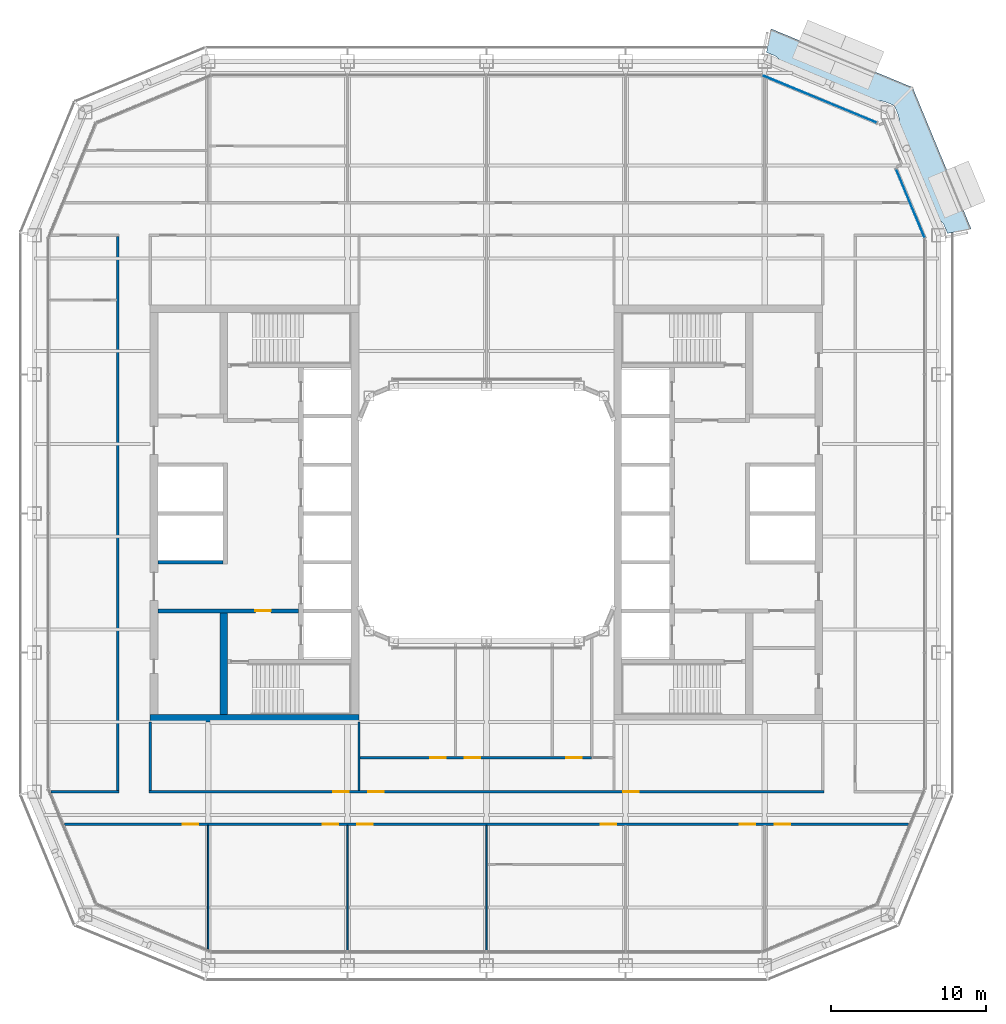
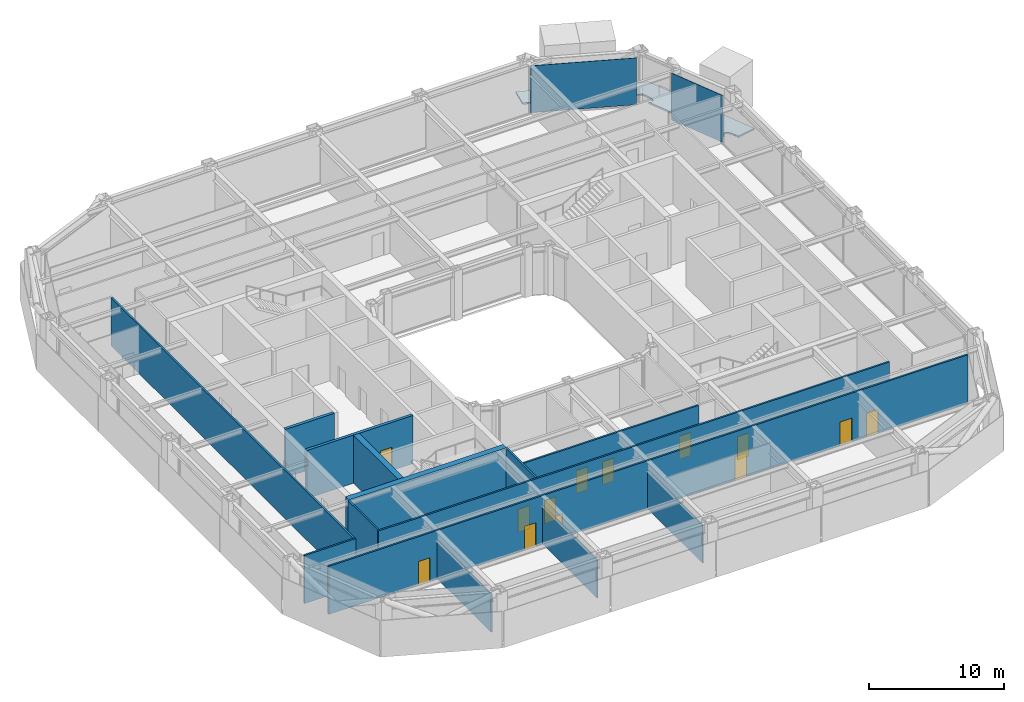
# One storey, part 11 of 23: 14 walls, 13 doors, 2 plates, 1 slab, 13 openings, 2 elements without a shape of their own.
"""IFC4 building model written with IfcOpenShell, lengths in metres."""

from ifc_helpers import new_model, si_unit, direction, frame, frame_2d, origin, origin_2d, place, context, subcontext, project, spatial, polyline, rectangle, outline, extrude, material, layer, layer_set, type_object, element, fill, aggregate, save


model = new_model("IFC4")

# Units and contexts
model_context = context("Model", 3, precision=1e-05, world=origin(), true_north=direction((0.0, 1.0)))
body_context = subcontext(model_context, "Body", "Model", "MODEL_VIEW")
ifc_project = project(units=[si_unit("LENGTHUNIT", "METRE"), si_unit("AREAUNIT", "SQUARE_METRE"), si_unit("VOLUMEUNIT", "CUBIC_METRE"), si_unit("PLANEANGLEUNIT", "RADIAN"), si_unit("MASSUNIT", "GRAM", prefix="KILO")], contexts=[model_context])

# Site, building, storey
site_placement = place(None, origin())
site = spatial("IfcSite", under=ifc_project, at=site_placement, CompositionType="ELEMENT")
building_placement = place(site_placement, origin())
building = spatial("IfcBuilding", under=site, at=building_placement, Name="Siwar Civic Tower", CompositionType="ELEMENT")
storey_placement = place(building_placement, frame((0.0, 0.0, 167.699951171875)))
storey = spatial("IfcBuildingStorey", under=building, at=storey_placement, Name="L36", CompositionType="ELEMENT", Elevation=167.699951171875)

# Slab
ifc_material_1 = material(Name="Concrete C40/50", Category="concrete")
ifc_layer_1 = layer(ifc_material_1, 0.14990234375)
ifc_layer_set_1 = layer_set([ifc_layer_1], Name="Concrete C40/50")
slab_type = type_object("IfcSlabType", Name="ENV-BALCONY DECK 150", PredefinedType="FLOOR", material=ifc_layer_set_1)
slab_placement = place(storey_placement, frame((0.0, 0.0, -0.1494140625)))
element("IfcSlab", 1, at=slab_placement, inside=storey, type_object=slab_type, Name="Tree balcony deck NE", PredefinedType="FLOOR", context=body_context, shape_type="SweptSolid", body=[
    extrude(outline(polyline([(26.43310546875, 26.263427734375), (26.435546875, 26.258056640625), (26.435546875, 26.258056640625), (26.44580078125, 26.2333984375), (26.479736328125, 26.151611328125), (26.575439453125, 25.921875), (26.585693359375, 25.897216796875), (26.589111328125, 25.88916015625), (26.58984375, 25.88720703125), (26.617431640625, 25.81494140625), (26.619140625, 25.81005859375), (26.639404296875, 25.74462890625), (26.640625, 25.740234375), (26.65673828125, 25.673583984375), (26.65771484375, 25.669189453125), (26.669921875, 25.601806640625), (26.67041015625, 25.59765625), (26.6787109375, 25.529541015625), (26.67919921875, 25.523681640625), (26.67919921875, 25.517578125), (26.6748046875, 25.406005859375), (26.674072265625, 25.397216796875), (26.672119140625, 25.388671875), (26.66015625, 25.345703125), (26.65869140625, 25.34130859375), (26.64404296875, 25.299072265625), (26.640869140625, 25.29150390625), (26.63720703125, 25.284423828125), (26.61669921875, 25.251220703125), (26.614501953125, 25.247802734375), (26.59228515625, 25.216064453125), (26.58740234375, 25.209716796875), (26.581787109375, 25.203857421875), (26.575439453125, 25.19873046875), (26.56884765625, 25.1943359375), (26.561767578125, 25.190673828125), (26.531494140625, 25.177001953125), (26.52734375, 25.17529296875), (26.496337890625, 25.16357421875), (26.488525390625, 25.1611328125), (26.480712890625, 25.159423828125), (26.47265625, 25.15869140625), (26.464599609375, 25.15869140625), (26.456787109375, 25.15966796875), (26.418701171875, 25.166259765625), (26.41455078125, 25.167236328125), (26.376708984375, 25.176025390625), (26.368896484375, 25.17822265625), (26.361328125, 25.181396484375), (26.321044921875, 25.20068359375), (26.31689453125, 25.202880859375), (26.27783203125, 25.224609375), (26.2705078125, 25.2294921875), (26.263671875, 25.23486328125), (26.246826171875, 25.25048828125), (28.949951171875, 18.724609375), (28.951904296875, 18.77490234375), (28.95263671875, 18.783447265625), (28.95458984375, 18.7919921875), (28.966552734375, 18.835205078125), (28.968017578125, 18.839599609375), (28.982666015625, 18.8818359375), (28.98583984375, 18.889404296875), (28.98974609375, 18.896484375), (29.010009765625, 18.9296875), (29.013916015625, 18.935302734375), (29.018310546875, 18.940673828125), (29.023193359375, 18.945556640625), (29.048583984375, 18.968994140625), (29.052001953125, 18.971923828125), (29.078857421875, 18.99365234375), (29.084716796875, 18.998046875), (29.0908203125, 19.001708984375), (29.097412109375, 19.0048828125), (29.104248046875, 19.00732421875), (29.111083984375, 19.009033203125), (29.118408203125, 19.01025390625), (29.15283203125, 19.013671875), (29.1572265625, 19.01416015625), (29.19189453125, 19.015625), (29.19873046875, 19.015625), (29.20556640625, 19.01513671875), (29.21240234375, 19.013671875), (29.25, 19.0048828125), (29.2578125, 19.002685546875), (29.265380859375, 18.99951171875), (29.305908203125, 18.980224609375), (29.309814453125, 18.97802734375), (29.348876953125, 18.956298828125), (29.356201171875, 18.951416015625), (29.363037109375, 18.946044921875), (29.4453125, 18.870361328125), (29.44970703125, 18.865966796875), (29.453369140625, 18.861572265625), (29.495849609375, 18.8076171875), (29.498291015625, 18.80419921875), (29.53759765625, 18.748046875), (29.5400390625, 18.744384765625), (29.575927734375, 18.68603515625), (29.578369140625, 18.681884765625), (29.610595703125, 18.62158203125), (29.61279296875, 18.616943359375), (29.64453125, 18.54638671875), (29.645263671875, 18.54443359375), (29.665771484375, 18.4951171875), (29.6845703125, 18.449951171875), (29.699951171875, 18.449951171875), (29.699951171875, 18.412841796875), (29.740966796875, 18.314697265625), (29.775146484375, 18.232666015625), (29.788818359375, 18.19970703125), (29.798828125, 18.175048828125), (29.798828125, 18.175048828125), (29.8017578125, 18.16748046875), (29.807373046875, 18.148193359375), (29.80908203125, 18.140625), (29.81005859375, 18.1328125), (29.8115234375, 18.1123046875), (29.8115234375, 18.11181640625), (31.35009765625, 18.417724609375), (27.562255859375, 27.562255859375), (18.417724609375, 31.35009765625), (18.111083984375, 29.80810546875), (18.114013671875, 29.808349609375), (18.13037109375, 29.80859375), (18.136962890625, 29.808349609375), (18.1435546875, 29.8076171875), (18.150146484375, 29.80615234375), (18.1650390625, 29.80224609375), (18.175048828125, 29.798828125), (18.19970703125, 29.788818359375), (18.279052734375, 29.755615234375), (18.314697265625, 29.740966796875), (18.412841796875, 29.699951171875), (18.449951171875, 29.699951171875), (18.449951171875, 29.6845703125), (18.4951171875, 29.665771484375), (18.54443359375, 29.645263671875), (18.54638671875, 29.64453125), (18.616943359375, 29.61279296875), (18.62158203125, 29.610595703125), (18.681884765625, 29.578369140625), (18.68603515625, 29.575927734375), (18.744384765625, 29.5400390625), (18.748046875, 29.53759765625), (18.80419921875, 29.498291015625), (18.8076171875, 29.495849609375), (18.861572265625, 29.453369140625), (18.865966796875, 29.44970703125), (18.870361328125, 29.4453125), (18.946044921875, 29.363037109375), (18.951416015625, 29.356201171875), (18.956298828125, 29.348876953125), (18.97802734375, 29.309814453125), (18.980224609375, 29.305908203125), (18.99951171875, 29.265380859375), (19.002685546875, 29.2578125), (19.0048828125, 29.25), (19.013671875, 29.21240234375), (19.01513671875, 29.20556640625), (19.015625, 29.19873046875), (19.015625, 29.19189453125), (19.01416015625, 29.1572265625), (19.013671875, 29.15283203125), (19.01025390625, 29.118408203125), (19.009033203125, 29.111083984375), (19.00732421875, 29.104248046875), (19.0048828125, 29.097412109375), (19.001708984375, 29.0908203125), (18.998046875, 29.084716796875), (18.99365234375, 29.078857421875), (18.971923828125, 29.052001953125), (18.968994140625, 29.048583984375), (18.945556640625, 29.023193359375), (18.940673828125, 29.018310546875), (18.935302734375, 29.013916015625), (18.9296875, 29.010009765625), (18.896484375, 28.98974609375), (18.889404296875, 28.98583984375), (18.8818359375, 28.982666015625), (18.839599609375, 28.968017578125), (18.835205078125, 28.966552734375), (18.7919921875, 28.95458984375), (18.783447265625, 28.95263671875), (18.77490234375, 28.951904296875), (18.724609375, 28.949951171875), (25.25048828125, 26.246826171875), (25.23486328125, 26.263671875), (25.2294921875, 26.2705078125), (25.224609375, 26.27783203125), (25.202880859375, 26.31689453125), (25.20068359375, 26.321044921875), (25.181396484375, 26.361328125), (25.17822265625, 26.368896484375), (25.176025390625, 26.376708984375), (25.167236328125, 26.41455078125), (25.166259765625, 26.418701171875), (25.15966796875, 26.456787109375), (25.15869140625, 26.464599609375), (25.15869140625, 26.47265625), (25.159423828125, 26.480712890625), (25.1611328125, 26.488525390625), (25.16357421875, 26.496337890625), (25.17529296875, 26.52734375), (25.177001953125, 26.531494140625), (25.190673828125, 26.561767578125), (25.1943359375, 26.56884765625), (25.19873046875, 26.575439453125), (25.203857421875, 26.581787109375), (25.209716796875, 26.58740234375), (25.216064453125, 26.59228515625), (25.247802734375, 26.614501953125), (25.251220703125, 26.61669921875), (25.284423828125, 26.63720703125), (25.29150390625, 26.640869140625), (25.299072265625, 26.64404296875), (25.34130859375, 26.65869140625), (25.345703125, 26.66015625), (25.388671875, 26.672119140625), (25.397216796875, 26.674072265625), (25.406005859375, 26.6748046875), (25.517578125, 26.67919921875), (25.523681640625, 26.67919921875), (25.529541015625, 26.6787109375), (25.59765625, 26.67041015625), (25.601806640625, 26.669921875), (25.669189453125, 26.65771484375), (25.673583984375, 26.65673828125), (25.740234375, 26.640625), (25.74462890625, 26.639404296875), (25.81005859375, 26.619140625), (25.81494140625, 26.617431640625), (25.88720703125, 26.58984375), (25.88916015625, 26.589111328125), (25.897216796875, 26.585693359375), (25.921875, 26.575439453125), (26.151611328125, 26.479736328125), (26.2333984375, 26.44580078125), (26.258056640625, 26.435546875), (26.267578125, 26.4306640625), (26.28076171875, 26.4228515625), (26.286376953125, 26.419189453125), (26.291748046875, 26.4150390625), (26.296630859375, 26.410400390625), (26.3017578125, 26.405029296875), (26.405029296875, 26.405029296875), (26.405029296875, 26.311279296875), (26.414306640625, 26.29833984375), (26.41748046875, 26.293701171875), (26.420166015625, 26.28857421875), (26.43310546875, 26.263427734375)])), origin(), (0.0, 0.0, 1.0), 0.1494140625),
])

# Curtain wall, plate
ifc_material_2 = material(Name="Aluminium clad insulated panel", Category="aluminium")
ifc_layer_2 = layer(ifc_material_2, 0.199951171875)
ifc_layer_set_2 = layer_set([ifc_layer_2], Name="Aluminium clad insulated panel")
curtain_wall_type = type_object("IfcCurtainWallType", Name="ENV-CW-BX", PredefinedType="NOTDEFINED", material=ifc_layer_set_2)
curtain_wall_1_placement = place(storey_placement, origin())
curtain_wall_1 = element("IfcCurtainWall", 2, at=curtain_wall_1_placement, inside=storey, type_object=curtain_wall_type, Name="Curtain wall B NE1", PredefinedType="NOTDEFINED")
ifc_material_3 = material(Name="Aluminium clad insulated panel", Category="aluminium")
ifc_layer_3 = layer(ifc_material_3, 0.033935546875)
ifc_layer_set_3 = layer_set([ifc_layer_3], Name="Aluminium clad insulated panel")
plate_type = type_object("IfcPlateType", Name="ENV-PANEL-BX", PredefinedType="CURTAIN_PANEL", material=ifc_layer_set_3)
plate_1_placement = place(storey_placement, frame((27.422607421875, 20.06005859375, 0.10986328125), z_axis=(0.0, 0.0, 1.0), x_axis=(-0.382683432365, 0.923879532511, 0.0)))
plate_1 = element("IfcPlate", 3, at=plate_1_placement, type_object=plate_type, Name="Curtain panel B NE1 1", PredefinedType="CURTAIN_PANEL", context=body_context, shape_type="SweptSolid", body=[
    extrude(rectangle(XDim=4.7822265625, YDim=0.033935546875, at=origin_2d()), origin(), (0.0, 0.0, 1.0), 4.239990234375),
])
aggregate(curtain_wall_1, [plate_1])

curtain_wall_2_placement = place(storey_placement, origin())
curtain_wall_2 = element("IfcCurtainWall", 4, at=curtain_wall_2_placement, inside=storey, type_object=curtain_wall_type, Name="Curtain wall B NE2", PredefinedType="NOTDEFINED")
plate_2_placement = place(storey_placement, frame((21.5810546875, 26.79248046875, 0.10986328125), z_axis=(0.0, 0.0, 1.0), x_axis=(-0.923879532511, 0.382683432365, 0.0)))
plate_2 = element("IfcPlate", 5, at=plate_2_placement, type_object=plate_type, Name="Curtain panel B NE2 1", PredefinedType="CURTAIN_PANEL", context=body_context, shape_type="SweptSolid", body=[
    extrude(rectangle(XDim=7.912353515625, YDim=0.033935546875, at=origin_2d()), origin(), (0.0, 0.0, 1.0), 4.239990234375),
])
aggregate(curtain_wall_2, [plate_2])

# Wall, opening, door
ifc_material_4 = material(Name="Concrete C60/75", Category="concrete")
ifc_layer_4 = layer(ifc_material_4, 0.25)
ifc_layer_set_4 = layer_set([ifc_layer_4], Name="Concrete C60/75")
wall_type_1 = type_object("IfcWallType", Name="CORE-WALL-RC250", PredefinedType="SHEAR", material=ifc_layer_set_4)
wall_1_placement = place(storey_placement, frame((-12.14990234375, -6.300048828125, 0.0), z_axis=(0.0, 0.0, 1.0), x_axis=(-1.0, 0.0, 0.0)))
wall_1 = element("IfcWall", 6, at=wall_1_placement, inside=storey, type_object=wall_type_1, Name="Core wall W", PredefinedType="SHEAR", context=body_context, shape_type="SweptSolid", body=[
    extrude(rectangle(XDim=9.10009765625, YDim=0.25, at=frame_2d((4.550048828125, 0.0))), origin(), (0.0, 0.0, 1.0), 4.35009765625),
])
opening_1_placement = place(wall_1_placement, frame((1.800048828125, 0.0, 0.0)))
opening_1 = element("IfcOpeningElement", 7, at=opening_1_placement, cuts=wall_1, Name="Opening L36-CW02", PredefinedType="OPENING", context=body_context, shape_type="SweptSolid", body=[
    extrude(rectangle(XDim=1.0, YDim=2.10009765625, at=frame_2d((0.5, 1.050048828125))), frame((0.0, 0.135009765625, 0.0), z_axis=(0.0, -1.0, 0.0), x_axis=(1.0, 0.0, 0.0)), (0.0, 0.0, 1.0), 0.27001953125),
])
ifc_material_5 = material(Name="Steel door leaf", Category="steel")
door_type_1 = type_object("IfcDoorType", Name="CORE-DOOR-FD30S", OperationType="SINGLE_SWING_LEFT", PredefinedType="DOOR", material=ifc_material_5)
door_1_placement = place(opening_1_placement, origin())
door_1 = element("IfcDoor", 8, at=door_1_placement, inside=storey, type_object=door_type_1, Name="Service lobby door L36-CW02", OperationType="SINGLE_SWING_RIGHT", OverallHeight=2.10009765625, OverallWidth=1.0, PredefinedType="DOOR", context=body_context, shape_type="SweptSolid", body=[
    extrude(rectangle(XDim=1.0, YDim=2.10009765625, at=frame_2d((0.5, 1.050048828125))), frame((0.0, 0.02490234375, 0.0), z_axis=(0.0, -1.0, 0.0), x_axis=(1.0, 0.0, 0.0)), (0.0, 0.0, 1.0), 0.050048828125),
])
fill(opening_1, door_1)

# Walls
wall_2_placement = place(storey_placement, frame((-17.050048828125, -3.14990234375, 0.0), z_axis=(0.0, 0.0, 1.0), x_axis=(-1.0, 0.0, 0.0)))
element("IfcWall", 9, at=wall_2_placement, inside=storey, type_object=wall_type_1, Name="Core wall W", PredefinedType="SHEAR", context=body_context, shape_type="SweptSolid", body=[
    extrude(rectangle(XDim=4.199951171875, YDim=0.25, at=frame_2d((2.10009765625, 0.0))), origin(), (0.0, 0.0, 1.0), 4.35009765625),
])
ifc_material_6 = material(Name="Concrete C60/75", Category="concrete")
ifc_layer_5 = layer(ifc_material_6, 0.5)
ifc_layer_set_5 = layer_set([ifc_layer_5], Name="Concrete C60/75")
wall_type_2 = type_object("IfcWallType", Name="CORE-WALL-RC500", PredefinedType="SHEAR", material=ifc_layer_set_5)
wall_3_placement = place(storey_placement, frame((-17.0, -13.0, 0.0), z_axis=(0.0, 0.0, 1.0), x_axis=(0.0, 1.0, 0.0)))
element("IfcWall", 10, at=wall_3_placement, inside=storey, type_object=wall_type_2, Name="Core wall W", PredefinedType="SHEAR", context=body_context, shape_type="SweptSolid", body=[
    extrude(rectangle(XDim=6.574951171875, YDim=0.5, at=frame_2d((3.28759765625, 0.0))), origin(), (0.0, 0.0, 1.0), 4.35009765625),
])
wall_4_placement = place(storey_placement, frame((-8.25, -13.25, 0.0), z_axis=(0.0, 0.0, 1.0), x_axis=(-1.0, 0.0, 0.0)))
element("IfcWall", 11, at=wall_4_placement, inside=storey, type_object=wall_type_2, Name="Core wall W", PredefinedType="SHEAR", context=body_context, shape_type="SweptSolid", body=[
    extrude(rectangle(XDim=13.5, YDim=0.5, at=frame_2d((6.75, 0.0))), origin(), (0.0, 0.0, 1.0), 4.35009765625),
])

# Wall, openings, doors
ifc_material_7 = material(Name="Gypsum board on steel studs", Category="steel")
ifc_layer_6 = layer(ifc_material_7, 0.14990234375)
ifc_layer_set_6 = layer_set([ifc_layer_6], Name="Gypsum board on steel studs")
wall_type_3 = type_object("IfcWallType", Name="CORRIDOR PARTITION 150 EI 30", PredefinedType="PARTITIONING", material=ifc_layer_set_6)
wall_5_placement = place(storey_placement, frame((-27.30810546875, -20.10009765625, 0.0), z_axis=(0.0, 0.0, 1.0), x_axis=(1.0, 0.0, 0.0)))
wall_5 = element("IfcWall", 12, at=wall_5_placement, inside=storey, type_object=wall_type_3, Name="L36/wall/P02", PredefinedType="PARTITIONING", context=body_context, shape_type="SweptSolid", body=[
    extrude(rectangle(XDim=54.6162109375, YDim=0.14990234375, at=frame_2d((27.30810546875, 0.0))), origin(), (0.0, 0.0, 1.0), 4.35009765625),
])
opening_2_placement = place(wall_5_placement, frame((16.7080078125, 0.0, 0.0)))
opening_2 = element("IfcOpeningElement", 13, at=opening_2_placement, cuts=wall_5, Name="Opening D1", PredefinedType="OPENING", context=body_context, shape_type="SweptSolid", body=[
    extrude(rectangle(XDim=1.0, YDim=2.10009765625, at=frame_2d((0.5, 1.050048828125))), frame((0.0, 0.0849609375, 0.0), z_axis=(0.0, -1.0, 0.0), x_axis=(1.0, 0.0, 0.0)), (0.0, 0.0, 1.0), 0.169921875),
])
opening_3_placement = place(wall_5_placement, frame((18.9580078125, 0.0, 0.0)))
opening_3 = element("IfcOpeningElement", 14, at=opening_3_placement, cuts=wall_5, Name="Opening D1", PredefinedType="OPENING", context=body_context, shape_type="SweptSolid", body=[
    extrude(rectangle(XDim=1.0, YDim=2.10009765625, at=frame_2d((0.5, 1.050048828125))), frame((0.0, 0.0849609375, 0.0), z_axis=(0.0, -1.0, 0.0), x_axis=(1.0, 0.0, 0.0)), (0.0, 0.0, 1.0), 0.169921875),
])
opening_4_placement = place(wall_5_placement, frame((34.7080078125, 0.0, 0.0)))
opening_4 = element("IfcOpeningElement", 15, at=opening_4_placement, cuts=wall_5, Name="Opening D1", PredefinedType="OPENING", context=body_context, shape_type="SweptSolid", body=[
    extrude(rectangle(XDim=1.0, YDim=2.10009765625, at=frame_2d((0.5, 1.050048828125))), frame((0.0, 0.0849609375, 0.0), z_axis=(0.0, -1.0, 0.0), x_axis=(1.0, 0.0, 0.0)), (0.0, 0.0, 1.0), 0.169921875),
])
opening_5_placement = place(wall_5_placement, frame((43.7080078125, 0.0, 0.0)))
opening_5 = element("IfcOpeningElement", 16, at=opening_5_placement, cuts=wall_5, Name="Opening D1", PredefinedType="OPENING", context=body_context, shape_type="SweptSolid", body=[
    extrude(rectangle(XDim=1.0, YDim=2.10009765625, at=frame_2d((0.5, 1.050048828125))), frame((0.0, 0.0849609375, 0.0), z_axis=(0.0, -1.0, 0.0), x_axis=(1.0, 0.0, 0.0)), (0.0, 0.0, 1.0), 0.169921875),
])
opening_6_placement = place(wall_5_placement, frame((7.64990234375, 0.0, 0.0)))
opening_6 = element("IfcOpeningElement", 17, at=opening_6_placement, cuts=wall_5, Name="Opening D1", PredefinedType="OPENING", context=body_context, shape_type="SweptSolid", body=[
    extrude(rectangle(XDim=1.0, YDim=2.10009765625, at=frame_2d((0.5, 1.050048828125))), frame((0.0, 0.0849609375, 0.0), z_axis=(0.0, -1.0, 0.0), x_axis=(1.0, 0.0, 0.0)), (0.0, 0.0, 1.0), 0.169921875),
])
opening_7_placement = place(wall_5_placement, frame((45.9580078125, 0.0, 0.0)))
opening_7 = element("IfcOpeningElement", 18, at=opening_7_placement, cuts=wall_5, Name="Opening D1", PredefinedType="OPENING", context=body_context, shape_type="SweptSolid", body=[
    extrude(rectangle(XDim=1.0, YDim=2.10009765625, at=frame_2d((0.5, 1.050048828125))), frame((0.0, 0.0849609375, 0.0), z_axis=(0.0, -1.0, 0.0), x_axis=(1.0, 0.0, 0.0)), (0.0, 0.0, 1.0), 0.169921875),
])
ifc_material_8 = material(Name="Timber, painted", Category="wood")
door_type_2 = type_object("IfcDoorType", Name="DOOR 1000 X 2100 FD30", OperationType="SINGLE_SWING_LEFT", PredefinedType="DOOR", material=ifc_material_8)
door_2_placement = place(opening_2_placement, origin())
door_2 = element("IfcDoor", 19, at=door_2_placement, inside=storey, type_object=door_type_2, Name="L36-D06", OperationType="SINGLE_SWING_RIGHT", OverallHeight=2.10009765625, OverallWidth=1.0, PredefinedType="DOOR", context=body_context, shape_type="SweptSolid", body=[
    extrude(rectangle(XDim=1.0, YDim=2.10009765625, at=frame_2d((0.5, 1.050048828125))), frame((0.0, 0.02490234375, 0.0), z_axis=(0.0, -1.0, 0.0), x_axis=(1.0, 0.0, 0.0)), (0.0, 0.0, 1.0), 0.050048828125),
])
fill(opening_2, door_2)
door_3_placement = place(opening_3_placement, origin())
door_3 = element("IfcDoor", 20, at=door_3_placement, inside=storey, type_object=door_type_2, Name="L36-D07", OperationType="SINGLE_SWING_LEFT", OverallHeight=2.10009765625, OverallWidth=1.0, PredefinedType="DOOR", context=body_context, shape_type="SweptSolid", body=[
    extrude(rectangle(XDim=1.0, YDim=2.10009765625, at=frame_2d((0.5, 1.050048828125))), frame((0.0, 0.02490234375, 0.0), z_axis=(0.0, -1.0, 0.0), x_axis=(1.0, 0.0, 0.0)), (0.0, 0.0, 1.0), 0.050048828125),
])
fill(opening_3, door_3)
door_4_placement = place(opening_4_placement, origin())
door_4 = element("IfcDoor", 21, at=door_4_placement, inside=storey, type_object=door_type_2, Name="L36-D08", OperationType="SINGLE_SWING_RIGHT", OverallHeight=2.10009765625, OverallWidth=1.0, PredefinedType="DOOR", context=body_context, shape_type="SweptSolid", body=[
    extrude(rectangle(XDim=1.0, YDim=2.10009765625, at=frame_2d((0.5, 1.050048828125))), frame((0.0, 0.02490234375, 0.0), z_axis=(0.0, -1.0, 0.0), x_axis=(1.0, 0.0, 0.0)), (0.0, 0.0, 1.0), 0.050048828125),
])
fill(opening_4, door_4)
door_5_placement = place(opening_5_placement, origin())
door_5 = element("IfcDoor", 22, at=door_5_placement, inside=storey, type_object=door_type_2, Name="L36-D10", OperationType="SINGLE_SWING_RIGHT", OverallHeight=2.10009765625, OverallWidth=1.0, PredefinedType="DOOR", context=body_context, shape_type="SweptSolid", body=[
    extrude(rectangle(XDim=1.0, YDim=2.10009765625, at=frame_2d((0.5, 1.050048828125))), frame((0.0, 0.02490234375, 0.0), z_axis=(0.0, -1.0, 0.0), x_axis=(1.0, 0.0, 0.0)), (0.0, 0.0, 1.0), 0.050048828125),
])
fill(opening_5, door_5)
door_6_placement = place(opening_6_placement, origin())
door_6 = element("IfcDoor", 23, at=door_6_placement, inside=storey, type_object=door_type_2, Name="L36-D14", OperationType="SINGLE_SWING_RIGHT", OverallHeight=2.10009765625, OverallWidth=1.0, PredefinedType="DOOR", context=body_context, shape_type="SweptSolid", body=[
    extrude(rectangle(XDim=1.0, YDim=2.10009765625, at=frame_2d((0.5, 1.050048828125))), frame((0.0, 0.02490234375, 0.0), z_axis=(0.0, -1.0, 0.0), x_axis=(1.0, 0.0, 0.0)), (0.0, 0.0, 1.0), 0.050048828125),
])
fill(opening_6, door_6)
door_7_placement = place(opening_7_placement, origin())
door_7 = element("IfcDoor", 24, at=door_7_placement, inside=storey, type_object=door_type_2, Name="L36-D15", OperationType="SINGLE_SWING_LEFT", OverallHeight=2.10009765625, OverallWidth=1.0, PredefinedType="DOOR", context=body_context, shape_type="SweptSolid", body=[
    extrude(rectangle(XDim=1.0, YDim=2.10009765625, at=frame_2d((0.5, 1.050048828125))), frame((0.0, 0.02490234375, 0.0), z_axis=(0.0, -1.0, 0.0), x_axis=(1.0, 0.0, 0.0)), (0.0, 0.0, 1.0), 0.050048828125),
])
fill(opening_7, door_7)

# Wall
wall_6_placement = place(storey_placement, frame((-28.177978515625, -18.0, 0.0), z_axis=(0.0, 0.0, 1.0), x_axis=(1.0, 0.0, 0.0)))
element("IfcWall", 25, at=wall_6_placement, inside=storey, type_object=wall_type_3, Name="L36/wall/P03", PredefinedType="PARTITIONING", context=body_context, shape_type="SweptSolid", body=[
    extrude(rectangle(XDim=4.403076171875, YDim=0.14990234375, at=frame_2d((2.20166015625, 0.0))), origin(), (0.0, 0.0, 1.0), 4.35009765625),
])

# Wall, openings, doors
wall_7_placement = place(storey_placement, frame((-21.824951171875, -18.0, 0.0), z_axis=(0.0, 0.0, 1.0), x_axis=(1.0, 0.0, 0.0)))
wall_7 = element("IfcWall", 26, at=wall_7_placement, inside=storey, type_object=wall_type_3, Name="L36/wall/P04", PredefinedType="PARTITIONING", context=body_context, shape_type="SweptSolid", body=[
    extrude(rectangle(XDim=43.64990234375, YDim=0.14990234375, at=frame_2d((21.824951171875, 0.0))), origin(), (0.0, 0.0, 1.0), 4.35009765625),
])
opening_8_placement = place(wall_7_placement, frame((14.175048828125, 0.0, 0.0)))
opening_8 = element("IfcOpeningElement", 27, at=opening_8_placement, cuts=wall_7, Name="Opening D1", PredefinedType="OPENING", context=body_context, shape_type="SweptSolid", body=[
    extrude(rectangle(XDim=1.0, YDim=2.10009765625, at=frame_2d((0.5, 1.050048828125))), frame((0.0, 0.0849609375, 0.0), z_axis=(0.0, -1.0, 0.0), x_axis=(1.0, 0.0, 0.0)), (0.0, 0.0, 1.0), 0.169921875),
])
opening_9_placement = place(wall_7_placement, frame((11.925048828125, 0.0, 0.0)))
opening_9 = element("IfcOpeningElement", 28, at=opening_9_placement, cuts=wall_7, Name="Opening D1", PredefinedType="OPENING", context=body_context, shape_type="SweptSolid", body=[
    extrude(rectangle(XDim=1.0, YDim=2.10009765625, at=frame_2d((0.5, 1.050048828125))), frame((0.0, 0.0849609375, 0.0), z_axis=(0.0, -1.0, 0.0), x_axis=(1.0, 0.0, 0.0)), (0.0, 0.0, 1.0), 0.169921875),
])
opening_10_placement = place(wall_7_placement, frame((30.675048828125, 0.0, 0.0)))
opening_10 = element("IfcOpeningElement", 29, at=opening_10_placement, cuts=wall_7, Name="Opening D1", PredefinedType="OPENING", context=body_context, shape_type="SweptSolid", body=[
    extrude(rectangle(XDim=1.0, YDim=2.10009765625, at=frame_2d((0.5, 1.050048828125))), frame((0.0, 0.0849609375, 0.0), z_axis=(0.0, -1.0, 0.0), x_axis=(1.0, 0.0, 0.0)), (0.0, 0.0, 1.0), 0.169921875),
])
door_8_placement = place(opening_8_placement, origin())
door_8 = element("IfcDoor", 30, at=door_8_placement, inside=storey, type_object=door_type_2, Name="L36-D18", OperationType="SINGLE_SWING_RIGHT", OverallHeight=2.10009765625, OverallWidth=1.0, PredefinedType="DOOR", context=body_context, shape_type="SweptSolid", body=[
    extrude(rectangle(XDim=1.0, YDim=2.10009765625, at=frame_2d((0.5, 1.050048828125))), frame((0.0, 0.02490234375, 0.0), z_axis=(0.0, -1.0, 0.0), x_axis=(1.0, 0.0, 0.0)), (0.0, 0.0, 1.0), 0.050048828125),
])
fill(opening_8, door_8)
door_9_placement = place(opening_9_placement, origin())
door_9 = element("IfcDoor", 31, at=door_9_placement, inside=storey, type_object=door_type_2, Name="L36-D25", OperationType="SINGLE_SWING_LEFT", OverallHeight=2.10009765625, OverallWidth=1.0, PredefinedType="DOOR", context=body_context, shape_type="SweptSolid", body=[
    extrude(rectangle(XDim=1.0, YDim=2.10009765625, at=frame_2d((0.5, 1.050048828125))), frame((0.0, 0.02490234375, 0.0), z_axis=(0.0, -1.0, 0.0), x_axis=(1.0, 0.0, 0.0)), (0.0, 0.0, 1.0), 0.050048828125),
])
fill(opening_9, door_9)
door_10_placement = place(opening_10_placement, origin())
door_10 = element("IfcDoor", 32, at=door_10_placement, inside=storey, type_object=door_type_2, Name="L36-D26", OperationType="SINGLE_SWING_RIGHT", OverallHeight=2.10009765625, OverallWidth=1.0, PredefinedType="DOOR", context=body_context, shape_type="SweptSolid", body=[
    extrude(rectangle(XDim=1.0, YDim=2.10009765625, at=frame_2d((0.5, 1.050048828125))), frame((0.0, 0.02490234375, 0.0), z_axis=(0.0, -1.0, 0.0), x_axis=(1.0, 0.0, 0.0)), (0.0, 0.0, 1.0), 0.050048828125),
])
fill(opening_10, door_10)

wall_8_placement = place(storey_placement, frame((-8.175048828125, -15.800048828125, 0.0), z_axis=(0.0, 0.0, 1.0), x_axis=(1.0, 0.0, 0.0)))
wall_8 = element("IfcWall", 33, at=wall_8_placement, inside=storey, type_object=wall_type_3, Name="L36/wall/P06", PredefinedType="PARTITIONING", context=body_context, shape_type="SweptSolid", body=[
    extrude(rectangle(XDim=14.97509765625, YDim=0.14990234375, at=frame_2d((7.487548828125, 0.0))), origin(), (0.0, 0.0, 1.0), 4.35009765625),
])
opening_11_placement = place(wall_8_placement, frame((4.52490234375, 0.0, 0.0)))
opening_11 = element("IfcOpeningElement", 34, at=opening_11_placement, cuts=wall_8, Name="Opening D3", PredefinedType="OPENING", context=body_context, shape_type="SweptSolid", body=[
    extrude(rectangle(XDim=1.0, YDim=2.10009765625, at=frame_2d((0.5, 1.050048828125))), frame((0.0, 0.0849609375, 0.0), z_axis=(0.0, -1.0, 0.0), x_axis=(1.0, 0.0, 0.0)), (0.0, 0.0, 1.0), 0.169921875),
])
opening_12_placement = place(wall_8_placement, frame((6.77490234375, 0.0, 0.0)))
opening_12 = element("IfcOpeningElement", 35, at=opening_12_placement, cuts=wall_8, Name="Opening D3", PredefinedType="OPENING", context=body_context, shape_type="SweptSolid", body=[
    extrude(rectangle(XDim=1.0, YDim=2.10009765625, at=frame_2d((0.5, 1.050048828125))), frame((0.0, 0.0849609375, 0.0), z_axis=(0.0, -1.0, 0.0), x_axis=(1.0, 0.0, 0.0)), (0.0, 0.0, 1.0), 0.169921875),
])
opening_13_placement = place(wall_8_placement, frame((13.324951171875, 0.0, 0.0)))
opening_13 = element("IfcOpeningElement", 36, at=opening_13_placement, cuts=wall_8, Name="Opening D3", PredefinedType="OPENING", context=body_context, shape_type="SweptSolid", body=[
    extrude(rectangle(XDim=1.0, YDim=2.10009765625, at=frame_2d((0.5, 1.050048828125))), frame((0.0, 0.0849609375, 0.0), z_axis=(0.0, -1.0, 0.0), x_axis=(1.0, 0.0, 0.0)), (0.0, 0.0, 1.0), 0.169921875),
])
ifc_material_9 = material(Name="Timber, painted", Category="wood")
door_type_3 = type_object("IfcDoorType", Name="DOOR 1000 X 2100 WC", OperationType="SINGLE_SWING_LEFT", PredefinedType="DOOR", material=ifc_material_9)
door_11_placement = place(opening_11_placement, origin())
door_11 = element("IfcDoor", 37, at=door_11_placement, inside=storey, type_object=door_type_3, Name="L36-D19", OperationType="SINGLE_SWING_LEFT", OverallHeight=2.10009765625, OverallWidth=1.0, PredefinedType="DOOR", context=body_context, shape_type="SweptSolid", body=[
    extrude(rectangle(XDim=1.0, YDim=2.10009765625, at=frame_2d((0.5, 1.050048828125))), frame((0.0, 0.02490234375, 0.0), z_axis=(0.0, -1.0, 0.0), x_axis=(1.0, 0.0, 0.0)), (0.0, 0.0, 1.0), 0.050048828125),
])
fill(opening_11, door_11)
door_12_placement = place(opening_12_placement, origin())
door_12 = element("IfcDoor", 38, at=door_12_placement, inside=storey, type_object=door_type_3, Name="L36-D20", OperationType="SINGLE_SWING_RIGHT", OverallHeight=2.10009765625, OverallWidth=1.0, PredefinedType="DOOR", context=body_context, shape_type="SweptSolid", body=[
    extrude(rectangle(XDim=1.0, YDim=2.10009765625, at=frame_2d((0.5, 1.050048828125))), frame((0.0, 0.02490234375, 0.0), z_axis=(0.0, -1.0, 0.0), x_axis=(1.0, 0.0, 0.0)), (0.0, 0.0, 1.0), 0.050048828125),
])
fill(opening_12, door_12)
door_13_placement = place(opening_13_placement, origin())
door_13 = element("IfcDoor", 39, at=door_13_placement, inside=storey, type_object=door_type_3, Name="L36-D21", OperationType="SINGLE_SWING_LEFT", OverallHeight=2.10009765625, OverallWidth=1.0, PredefinedType="DOOR", context=body_context, shape_type="SweptSolid", body=[
    extrude(rectangle(XDim=1.0, YDim=2.10009765625, at=frame_2d((0.5, 1.050048828125))), frame((0.0, 0.02490234375, 0.0), z_axis=(0.0, -1.0, 0.0), x_axis=(1.0, 0.0, 0.0)), (0.0, 0.0, 1.0), 0.050048828125),
])
fill(opening_13, door_13)

# Walls
wall_9_placement = place(storey_placement, frame((-23.85009765625, -17.925048828125, 0.0), z_axis=(0.0, 0.0, 1.0), x_axis=(0.0, 1.0, 0.0)))
element("IfcWall", 40, at=wall_9_placement, inside=storey, type_object=wall_type_3, Name="L36/wall/P17", PredefinedType="PARTITIONING", context=body_context, shape_type="SweptSolid", body=[
    extrude(rectangle(XDim=35.85009765625, YDim=0.14990234375, at=frame_2d((17.925048828125, 0.0))), origin(), (0.0, 0.0, 1.0), 4.35009765625),
])
for number, where, z_axis, x_axis, name in (
    (41, (-21.75, -17.925048828125, 0.0), (0.0, 0.0, 1.0), (0.0, 1.0, 0.0), "L36/wall/P18"),
    (42, (-8.25, -17.925048828125, 0.0), (0.0, 0.0, 1.0), (0.0, 1.0, 0.0), "L36/wall/P24"),
):
    element("IfcWall", number, at=place(storey_placement, frame(where, z_axis=z_axis, x_axis=x_axis)), inside=storey, type_object=wall_type_3, Name=name, PredefinedType="PARTITIONING", context=body_context, shape_type="SweptSolid", body=[
        extrude(rectangle(XDim=4.425048828125, YDim=0.14990234375, at=frame_2d((2.21240234375, 0.0))), origin(), (0.0, 0.0, 1.0), 4.35009765625),
    ])
ifc_material_10 = material(Name="Gypsum board on steel studs", Category="steel")
ifc_layer_7 = layer(ifc_material_10, 0.10009765625)
ifc_layer_set_7 = layer_set([ifc_layer_7], Name="Gypsum board on steel studs")
wall_type_4 = type_object("IfcWallType", Name="PARTITION 100 GYPSUM", PredefinedType="PARTITIONING", material=ifc_layer_set_7)
wall_10_placement = place(storey_placement, frame((-18.0, -28.177978515625, 0.0), z_axis=(0.0, 0.0, 1.0), x_axis=(0.0, 1.0, 0.0)))
element("IfcWall", 43, at=wall_10_placement, inside=storey, type_object=wall_type_4, Name="L36/wall/P20", PredefinedType="PARTITIONING", context=body_context, shape_type="SweptSolid", body=[
    extrude(rectangle(XDim=8.0029296875, YDim=0.10009765625, at=frame_2d((4.00146484375, 0.0))), origin(), (0.0, 0.0, 1.0), 3.449951171875),
])
for number, where, z_axis, x_axis, name in (
    (44, (-9.0, -28.260009765625, 0.0), (0.0, 0.0, 1.0), (0.0, 1.0, 0.0), "L36/wall/P22"),
    (45, (0.0, -28.260009765625, 0.0), (0.0, 0.0, 1.0), (0.0, 1.0, 0.0), "L36/wall/P27"),
):
    element("IfcWall", number, at=place(storey_placement, frame(where, z_axis=z_axis, x_axis=x_axis)), inside=storey, type_object=wall_type_4, Name=name, PredefinedType="PARTITIONING", context=body_context, shape_type="SweptSolid", body=[
        extrude(rectangle(XDim=8.0849609375, YDim=0.10009765625, at=frame_2d((4.04248046875, 0.0))), origin(), (0.0, 0.0, 1.0), 3.449951171875),
    ])

save(model, "model.ifc")
